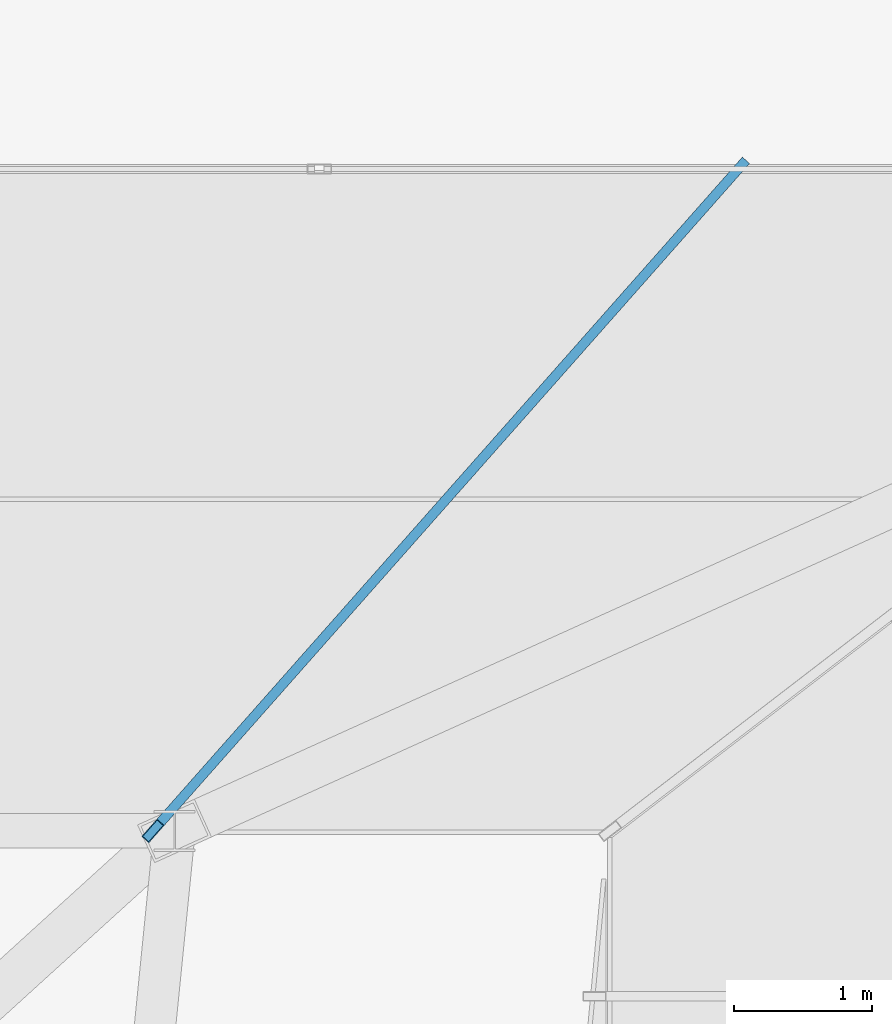
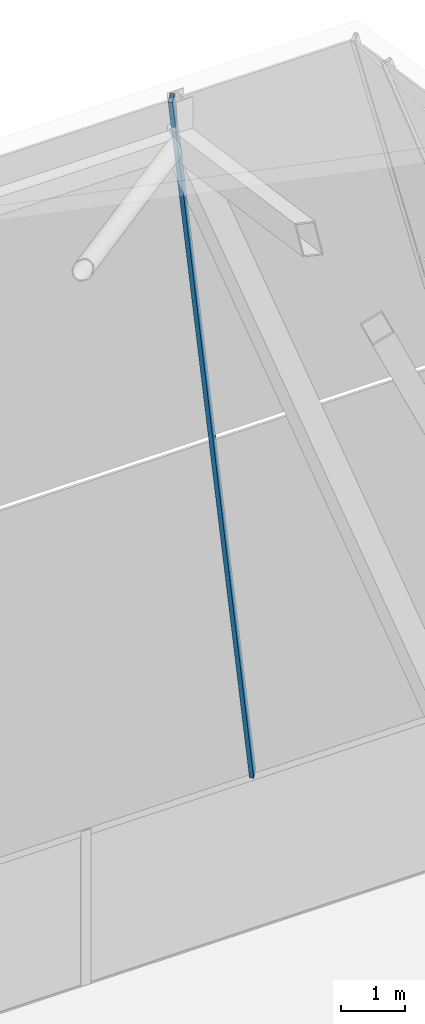
# One storey, part 26 of 32: 1 member, 1 element without a shape of its own.
"""IFC4 building model written with IfcOpenShell, lengths in metres."""

from ifc_helpers import new_model, si_unit, direction, frame, origin, origin_2d, place, context, subcontext, project, spatial, hollow_rectangle, extrude, source, transform, mapped, material, layer, layer_set, material_profile, profile_set, type_object, element, aggregate, save


model = new_model("IFC4")

# Units and contexts
model_context = context("Model", 3, precision=1e-05, world=origin(), true_north=direction((0.0, 1.0)))
body_context = subcontext(model_context, "Body", "Model", "MODEL_VIEW")
ifc_project = project(units=[si_unit("LENGTHUNIT", "METRE"), si_unit("AREAUNIT", "SQUARE_METRE"), si_unit("VOLUMEUNIT", "CUBIC_METRE"), si_unit("PLANEANGLEUNIT", "RADIAN"), si_unit("MASSUNIT", "GRAM", prefix="KILO")], contexts=[model_context])

# Site, building, storey
site_placement = place(None, origin())
site = spatial("IfcSite", under=ifc_project, at=site_placement, CompositionType="ELEMENT")
building_placement = place(site_placement, origin())
building = spatial("IfcBuilding", under=site, at=building_placement, Name="Sumidabori Civic Tower", CompositionType="ELEMENT")
storey_placement = place(building_placement, frame((0.0, 0.0, 298.199951171875)))
storey = spatial("IfcBuildingStorey", under=building, at=storey_placement, Name="RF Roof Crown", CompositionType="ELEMENT", Elevation=298.199951171875)

# Curtain wall, member
ifc_material = material(Name="Anodised Bronze Aluminium AW-6063-T6", Category="aluminium")
ifc_layer = layer(ifc_material, 0.179931640625, Name="Anodised Bronze Aluminium AW-6063-T6")
ifc_layer_set = layer_set([ifc_layer], Name="Anodised Bronze Aluminium AW-6063-T6")
curtain_wall_type = type_object("IfcCurtainWallType", Name="CW-SYS-6", PredefinedType="NOTDEFINED", material=ifc_layer_set)
curtain_wall_placement = place(storey_placement, origin())
curtain_wall = element("IfcCurtainWall", 1, at=curtain_wall_placement, inside=storey, type_object=curtain_wall_type, Name="Glass-Point Crown North Shoulder Curtain Wall", PredefinedType="NOTDEFINED")
ifc_material_profile = material_profile(ifc_material, hollow_rectangle(XDim=0.070068359375, YDim=0.179931640625, WallThickness=0.006103515625, at=origin_2d()), Name="ALU MULLION 180x70")
ifc_profile_set = profile_set([ifc_material_profile], Name="Anodised Bronze Aluminium AW-6063-T6")
member_type = type_object("IfcMemberType", Name="CW-MUL-180", PredefinedType="MULLION", material=ifc_profile_set)
shared_shape = source(origin(), body_context, "Body", "SweptSolid", [
    extrude(hollow_rectangle(XDim=0.070068359375, YDim=0.179931640625, WallThickness=0.006103515625, at=origin_2d()), origin(), (0.0, 0.0, 1.0), 18.486083984375),
])
member_placement = place(storey_placement, frame((11.2880859375, 22.800048828125, 3.050048828125), z_axis=(-0.229624396966, -0.259656367904, 0.938003841636), x_axis=(0.749099093582, -0.662457959417, 0.0)))
member = element("IfcMember", 2, at=member_placement, type_object=member_type, Name="Crown North Shoulder Sloped Mullion M3", PredefinedType="MULLION", context=body_context, shape_type="MappedRepresentation", body=[
    mapped(shared_shape, transform((0.0, 0.0, 0.0), x_axis=(1.0, 0.0, 0.0), y_axis=(0.0, 1.0, 0.0), z_axis=(0.0, 0.0, 1.0), scale=1.0)),
])
aggregate(curtain_wall, [member])

save(model, "model.ifc")
